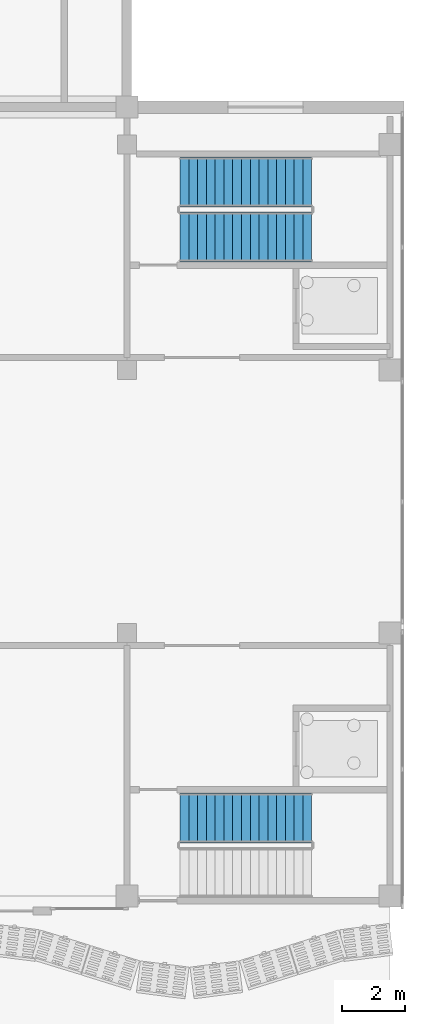
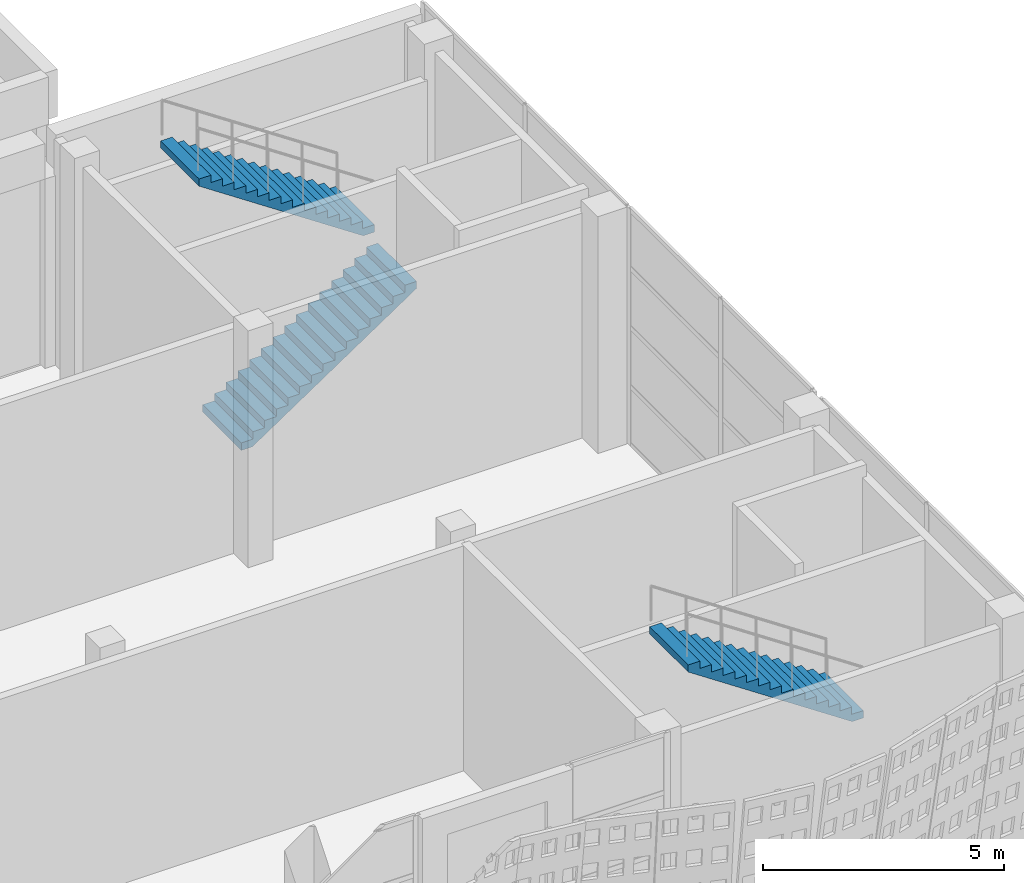
# One storey, part 132 of 210: 3 stair flights, 2 elements without a shape of their own.
"""IFC4 building model written with IfcOpenShell, lengths in metres."""

from ifc_helpers import new_model, si_unit, direction, frame, origin, place, context, subcontext, project, spatial, polyline, outline, extrude, material, type_object, element, aggregate, save


model = new_model("IFC4")

# Units and contexts
model_context = context("Model", 3, precision=1e-05, world=origin(), true_north=direction((0.0, 1.0)))
body_context = subcontext(model_context, "Body", "Model", "MODEL_VIEW")
ifc_project = project(units=[si_unit("LENGTHUNIT", "METRE"), si_unit("AREAUNIT", "SQUARE_METRE"), si_unit("VOLUMEUNIT", "CUBIC_METRE"), si_unit("PLANEANGLEUNIT", "RADIAN"), si_unit("MASSUNIT", "GRAM", prefix="KILO")], contexts=[model_context])

# Site, building, storey
site_placement = place(None, origin())
site = spatial("IfcSite", under=ifc_project, at=site_placement, CompositionType="ELEMENT")
building_placement = place(site_placement, origin())
building = spatial("IfcBuilding", under=site, at=building_placement, Name="Rain Tree Exposition and Congress Centre", CompositionType="ELEMENT")
storey_placement = place(building_placement, origin())
storey = spatial("IfcBuildingStorey", under=building, at=storey_placement, Name="L00", CompositionType="ELEMENT", Elevation=0.0)

# Stair, stair flight
ifc_material_1 = material(Name="Precast concrete C50/60", Category="concrete")
stair_type = type_object("IfcStairType", Name="Concourse dogleg stair 1600", PredefinedType="HALF_TURN_STAIR", material=ifc_material_1)
stair_1_placement = place(storey_placement, origin())
stair_1 = element("IfcStair", 1, at=stair_1_placement, inside=storey, type_object=stair_type, Name="L00 Concourse stair", PredefinedType="HALF_TURN_STAIR")
ifc_material_2 = material(Name="Precast concrete C50/60", Category="concrete")
stair_flight_type = type_object("IfcStairFlightType", Name="Concourse stair flight 1600", PredefinedType="STRAIGHT", material=ifc_material_2)
stair_flight_1_placement = place(storey_placement, frame((266.300048828125, 78.10009765625, 3.0), z_axis=(0.0, 0.0, 1.0), x_axis=(-1.0, 0.0, 0.0)))
stair_flight_1 = element("IfcStairFlight", 2, at=stair_flight_1_placement, type_object=stair_flight_type, Name="ST-C6 flight 2", NumberOfRisers=16, NumberOfTreads=15, PredefinedType="STRAIGHT", RiserHeight=0.1875, TreadLength=0.28, context=body_context, shape_type="SweptSolid", body=[
    extrude(outline(polyline([(0.0, 0.0), (0.0, 0.1875), (0.280029296875, 0.1875), (0.280029296875, 0.375), (0.56005859375, 0.375), (0.56005859375, 0.5625), (0.840087890625, 0.5625), (0.840087890625, 0.75), (1.1201171875, 0.75), (1.1201171875, 0.9375), (1.39990234375, 0.9375), (1.39990234375, 1.125), (1.679931640625, 1.125), (1.679931640625, 1.3125), (1.9599609375, 1.3125), (1.9599609375, 1.5), (2.239990234375, 1.5), (2.239990234375, 1.6875), (2.52001953125, 1.6875), (2.52001953125, 1.875), (2.800048828125, 1.875), (2.800048828125, 2.0625), (3.080078125, 2.0625), (3.080078125, 2.25), (3.360107421875, 2.25), (3.360107421875, 2.4375), (3.639892578125, 2.4375), (3.639892578125, 2.625), (3.919921875, 2.625), (3.919921875, 2.8125), (4.199951171875, 2.8125), (4.199951171875, 3.0), (4.199951171875, 2.632080078125), (0.26953125, 0.0), (0.0, 0.0)])), frame((0.0, 0.800048828125, 0.0), z_axis=(0.0, -1.0, 0.0), x_axis=(1.0, 0.0, 0.0)), (0.0, 0.0, 1.0), 1.60009765625),
])
aggregate(stair_1, [stair_flight_1])

# Stair, stair flights
stair_2_placement = place(storey_placement, origin())
stair_2 = element("IfcStair", 3, at=stair_2_placement, inside=storey, type_object=stair_type, Name="L00 Concourse stair", PredefinedType="HALF_TURN_STAIR")
stair_flight_2_placement = place(storey_placement, frame((262.10009765625, 96.64990234375, 0.0), z_axis=(0.0, 0.0, 1.0), x_axis=(1.0, 0.0, 0.0)))
stair_flight_2 = element("IfcStairFlight", 4, at=stair_flight_2_placement, type_object=stair_flight_type, Name="ST-C12 flight 1", NumberOfRisers=16, NumberOfTreads=15, PredefinedType="STRAIGHT", RiserHeight=0.1875, TreadLength=0.28, context=body_context, shape_type="SweptSolid", body=[
    extrude(outline(polyline([(0.0, 0.0), (0.0, 0.1875), (0.280029296875, 0.1875), (0.280029296875, 0.375), (0.56005859375, 0.375), (0.56005859375, 0.5625), (0.840087890625, 0.5625), (0.840087890625, 0.75), (1.1201171875, 0.75), (1.1201171875, 0.9375), (1.39990234375, 0.9375), (1.39990234375, 1.125), (1.679931640625, 1.125), (1.679931640625, 1.3125), (1.9599609375, 1.3125), (1.9599609375, 1.5), (2.239990234375, 1.5), (2.239990234375, 1.6875), (2.52001953125, 1.6875), (2.52001953125, 1.875), (2.800048828125, 1.875), (2.800048828125, 2.0625), (3.080078125, 2.0625), (3.080078125, 2.25), (3.360107421875, 2.25), (3.360107421875, 2.4375), (3.639892578125, 2.4375), (3.639892578125, 2.625), (3.919921875, 2.625), (3.919921875, 2.8125), (4.199951171875, 2.8125), (4.199951171875, 3.0), (4.199951171875, 2.632080078125), (0.26953125, 0.0), (0.0, 0.0)])), frame((0.0, 0.800048828125, 0.0), z_axis=(0.0, -1.0, 0.0), x_axis=(1.0, 0.0, 0.0)), (0.0, 0.0, 1.0), 1.60009765625),
])
stair_flight_3_placement = place(storey_placement, frame((266.300048828125, 98.39990234375, 3.0), z_axis=(0.0, 0.0, 1.0), x_axis=(-1.0, 0.0, 0.0)))
stair_flight_3 = element("IfcStairFlight", 5, at=stair_flight_3_placement, type_object=stair_flight_type, Name="ST-C12 flight 2", NumberOfRisers=16, NumberOfTreads=15, PredefinedType="STRAIGHT", RiserHeight=0.1875, TreadLength=0.28, context=body_context, shape_type="SweptSolid", body=[
    extrude(outline(polyline([(0.0, 0.0), (0.0, 0.1875), (0.280029296875, 0.1875), (0.280029296875, 0.375), (0.56005859375, 0.375), (0.56005859375, 0.5625), (0.840087890625, 0.5625), (0.840087890625, 0.75), (1.1201171875, 0.75), (1.1201171875, 0.9375), (1.39990234375, 0.9375), (1.39990234375, 1.125), (1.679931640625, 1.125), (1.679931640625, 1.3125), (1.9599609375, 1.3125), (1.9599609375, 1.5), (2.239990234375, 1.5), (2.239990234375, 1.6875), (2.52001953125, 1.6875), (2.52001953125, 1.875), (2.800048828125, 1.875), (2.800048828125, 2.0625), (3.080078125, 2.0625), (3.080078125, 2.25), (3.360107421875, 2.25), (3.360107421875, 2.4375), (3.639892578125, 2.4375), (3.639892578125, 2.625), (3.919921875, 2.625), (3.919921875, 2.8125), (4.199951171875, 2.8125), (4.199951171875, 3.0), (4.199951171875, 2.632080078125), (0.26953125, 0.0), (0.0, 0.0)])), frame((0.0, 0.800048828125, 0.0), z_axis=(0.0, -1.0, 0.0), x_axis=(1.0, 0.0, 0.0)), (0.0, 0.0, 1.0), 1.60009765625),
])
aggregate(stair_2, [stair_flight_2, stair_flight_3])

save(model, "model.ifc")
